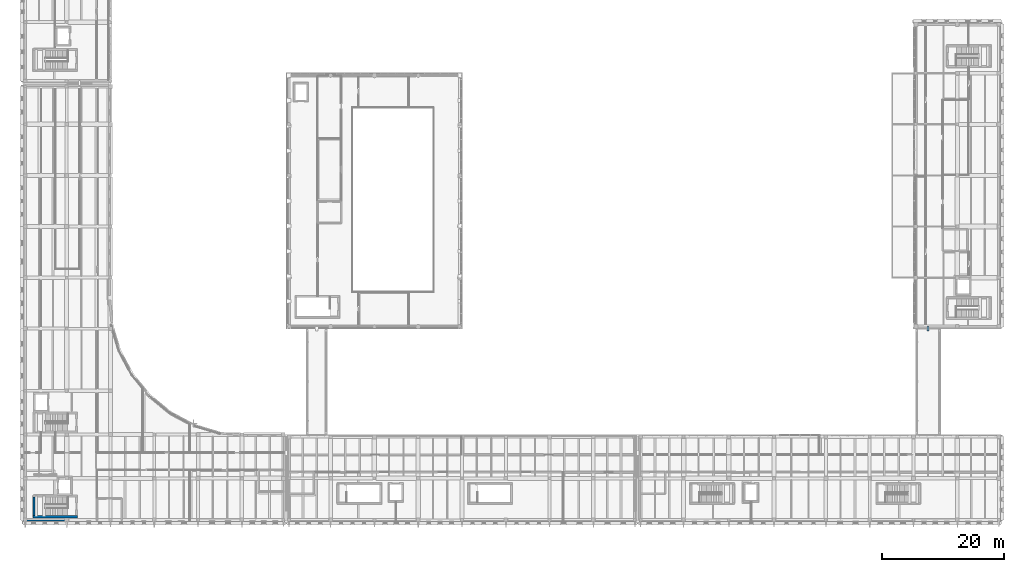
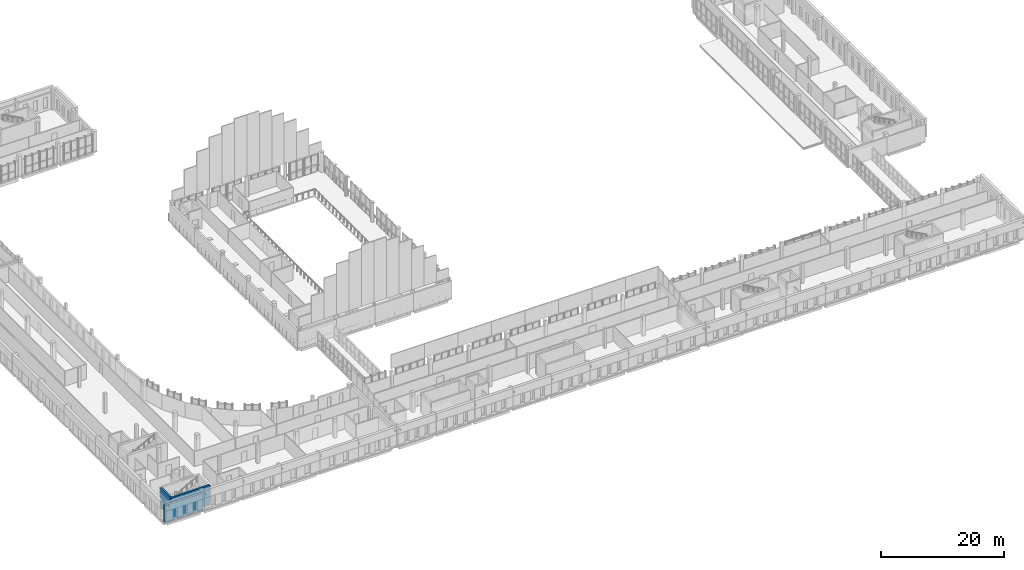
# One storey, part 48 of 76: 3 walls, 1 plate.
"""IFC4 building model written with IfcOpenShell, lengths in metres."""

from ifc_helpers import new_model, si_unit, direction, frame, frame_2d, origin, origin_2d, place, context, subcontext, project, spatial, rectangle, extrude, material, layer, layer_set, type_object, element, save


model = new_model("IFC4")

# Units and contexts
model_context = context("Model", 3, precision=1e-05, world=origin(), true_north=direction((0.0, 1.0)))
body_context = subcontext(model_context, "Body", "Model", "MODEL_VIEW")
ifc_project = project(units=[si_unit("LENGTHUNIT", "METRE"), si_unit("AREAUNIT", "SQUARE_METRE"), si_unit("VOLUMEUNIT", "CUBIC_METRE"), si_unit("PLANEANGLEUNIT", "RADIAN"), si_unit("MASSUNIT", "GRAM", prefix="KILO")], contexts=[model_context])

# Site, building, storey
site_placement = place(None, origin())
site = spatial("IfcSite", under=ifc_project, at=site_placement, CompositionType="ELEMENT")
building_placement = place(site_placement, origin())
building = spatial("IfcBuilding", under=site, at=building_placement, Name="Vardoun Plaza Health Centre", CompositionType="ELEMENT")
storey_placement = place(building_placement, frame((0.0, 0.0, 4.5)))
storey = spatial("IfcBuildingStorey", under=building, at=storey_placement, Name="L01", CompositionType="ELEMENT", Elevation=4.5)

# Plate
ifc_material_1 = material(Name="Steel S355J2", Category="steel")
ifc_layer_1 = layer(ifc_material_1, 0.0400390625)
ifc_layer_set_1 = layer_set([ifc_layer_1], Name="Steel S355J2")
plate_type = type_object("IfcPlateType", Name="BP-01", PredefinedType="SHEET", material=ifc_layer_set_1)
plate_placement = place(storey_placement, frame((153.300048828125, 36.300048828125, -0.260009765625), z_axis=(0.0, 0.0, 1.0), x_axis=(1.0, 0.0, 0.0)))
element("IfcPlate", 1, at=plate_placement, inside=storey, type_object=plate_type, Name="Bridge BR-05 Guided PTFE Bearing Plate", PredefinedType="SHEET", context=body_context, shape_type="SweptSolid", body=[
    extrude(rectangle(XDim=0.35009765625, YDim=0.800048828125, at=origin_2d()), origin(), (0.0, 0.0, 1.0), 0.0400390625),
])

# Walls
ifc_material_2 = material(Name="Concrete C40/50", Category="concrete")
ifc_layer_2 = layer(ifc_material_2, 0.35009765625)
ifc_layer_set_2 = layer_set([ifc_layer_2], Name="Concrete C40/50")
wall_type_1 = type_object("IfcWallType", Name="SW-02", PredefinedType="SHEAR", material=ifc_layer_set_2)
wall_1_placement = place(storey_placement, frame((13.47509765625, 5.39990234375, 0.0), z_axis=(0.0, 0.0, 1.0), x_axis=(-1.0, 0.0, 0.0)))
element("IfcWall", 2, at=wall_1_placement, inside=storey, type_object=wall_type_1, Name="Core C1 L01 Shear Wall S", PredefinedType="SHEAR", context=body_context, shape_type="SweptSolid", body=[
    extrude(rectangle(XDim=7.35009765625, YDim=0.35009765625, at=frame_2d((3.675048828125, 0.0))), origin(), (0.0, 0.0, 1.0), 3.919921875),
])
wall_2_placement = place(storey_placement, frame((6.300048828125, 5.574951171875, 0.0), z_axis=(0.0, 0.0, 1.0), x_axis=(0.0, 1.0, 0.0)))
element("IfcWall", 3, at=wall_2_placement, inside=storey, type_object=wall_type_1, Name="Core C1 L01 Shear Wall W", PredefinedType="SHEAR", context=body_context, shape_type="SweptSolid", body=[
    extrude(rectangle(XDim=3.050048828125, YDim=0.35009765625, at=frame_2d((1.52490234375, 0.0))), origin(), (0.0, 0.0, 1.0), 3.919921875),
])
ifc_material_3 = material(Name="Pale Limestone Concrete C35/45", Category="masonry")
ifc_layer_3 = layer(ifc_material_3, 0.344970703125)
ifc_layer_set_3 = layer_set([ifc_layer_3], Name="Pale Limestone Concrete C35/45")
wall_type_2 = type_object("IfcWallType", Name="EW-01", PredefinedType="SOLIDWALL", material=ifc_layer_set_3)
wall_3_placement = place(storey_placement, frame((11.699951171875, 4.672607421875, 0.0), z_axis=(0.0, 0.0, 1.0), x_axis=(-1.0, 0.0, 0.0)))
element("IfcWall", 4, at=wall_3_placement, inside=storey, type_object=wall_type_2, Name="V2 L01 Exterior Wall EW-V2-116", PredefinedType="SOLIDWALL", context=body_context, shape_type="SweptSolid", body=[
    extrude(rectangle(XDim=7.199951171875, YDim=0.344970703125, at=frame_2d((3.60009765625, 0.0))), origin(), (0.0, 0.0, 1.0), 3.405029296875),
])

save(model, "model.ifc")
